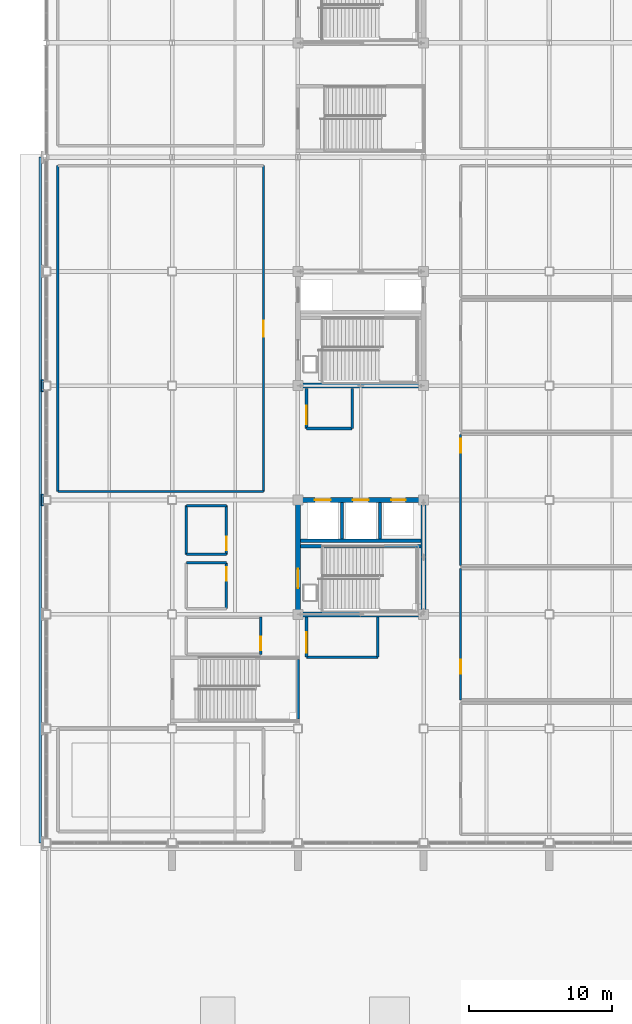
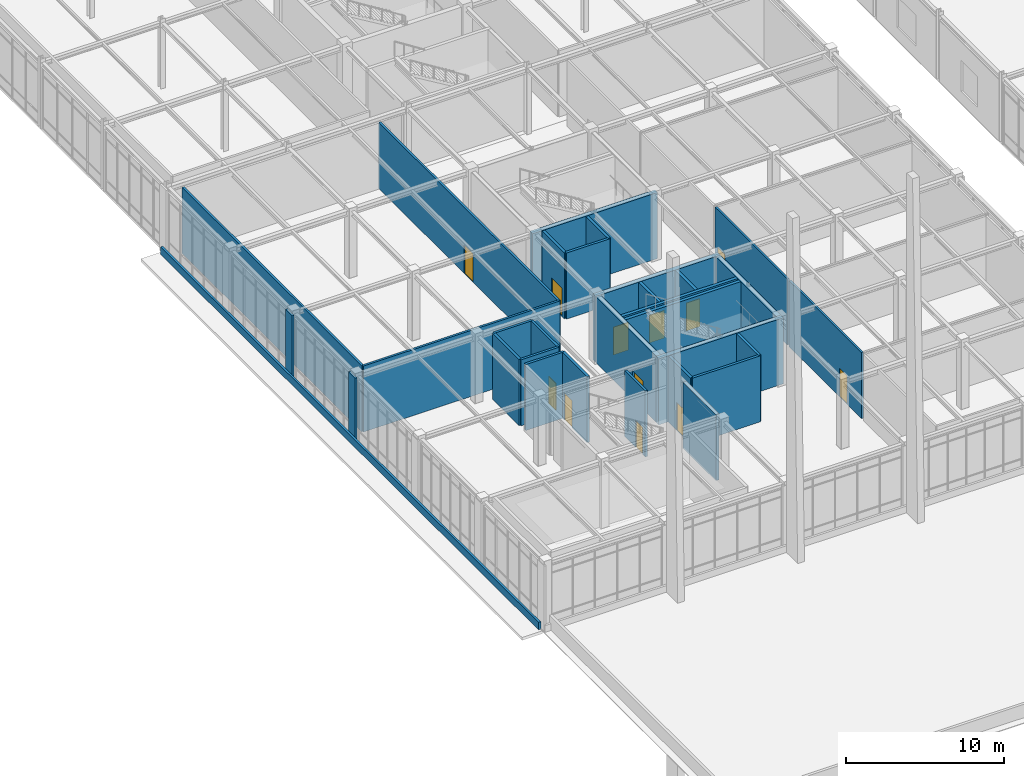
# One storey, part 87 of 108: 31 walls, 12 doors, 12 openings.
"""IFC4 building model written with IfcOpenShell, lengths in metres."""

import ifcopenshell
import ifcopenshell.guid

model = None  # the IFC model being written
_history = None  # IfcOwnerHistory: only IFC2X3 demands one
_inside = {}  # id of a spatial element -> (the spatial element, [elements in it])
_under = {}  # id of a project, library or spatial element -> (it, [spatial elements below it])
_declared = {}  # id of a project -> (the project, [libraries it declares])
_typed = {}  # id of a type object -> (the type object, [elements of that type])
_made_of = {}  # id of a material, layer set ... -> (it, [elements and type objects made of it])


def new_model(schema):
    """Start an empty IFC model of exactly this schema.

    Asked for "IFC4X3", IfcOpenShell would pick the latest addendum, in which some entities
    have other attributes; the version numbers below select the first issue.
    IFC2X3 requires an IfcOwnerHistory on every rooted entity: one is made here for all.
    """
    global model, _history
    if schema == "IFC4X3":
        model = ifcopenshell.file(schema_version=(4, 3, 0, 0))
    else:
        model = ifcopenshell.file(schema=schema)
    _inside.clear()
    _under.clear()
    _declared.clear()
    _typed.clear()
    _made_of.clear()
    _history = None
    if model.schema == "IFC2X3":
        org = make("IfcOrganization", Name="unknown")
        user = make(
            "IfcPersonAndOrganization",
            ThePerson=make("IfcPerson", FamilyName="unknown"),
            TheOrganization=org,
        )
        app = make(
            "IfcApplication",
            ApplicationDeveloper=org,
            Version="unknown",
            ApplicationFullName="unknown",
            ApplicationIdentifier="unknown",
        )
        _history = make(
            "IfcOwnerHistory",
            OwningUser=user,
            OwningApplication=app,
            ChangeAction="ADDED",
            CreationDate=0,
        )
    return model


def make(cls, **values):
    """One entity of the class cls with the attributes given. An attribute that is None is left unset."""
    return model.create_entity(
        cls, **{name: value for name, value in values.items() if value is not None}
    )


def rooted(cls, **values):
    """An entity with a GlobalId (a new one), such as an element, a storey or a relation."""
    return make(cls, GlobalId=ifcopenshell.guid.new(), OwnerHistory=_history, **values)


def si_unit(unit_type, name, prefix=None):
    """IfcSIUnit, for example si_unit("LENGTHUNIT", "METRE", prefix="MILLI")."""
    return make("IfcSIUnit", UnitType=unit_type, Prefix=prefix, Name=name)


def assignment(units):
    """IfcUnitAssignment: the units of a project."""
    return None if units is None else make("IfcUnitAssignment", Units=units)


def point(xyz):
    """IfcCartesianPoint."""
    return None if xyz is None else make("IfcCartesianPoint", Coordinates=xyz)


def direction(xyz):
    """IfcDirection."""
    return None if xyz is None else make("IfcDirection", DirectionRatios=xyz)


def frame(location, z_axis=None, x_axis=None):
    """IfcAxis2Placement3D, a coordinate frame: its origin and axes. An axis left out is left unset."""
    return make(
        "IfcAxis2Placement3D",
        Location=point(location),
        Axis=direction(z_axis),
        RefDirection=direction(x_axis),
    )


def frame_2d(location, x_axis=None):
    """IfcAxis2Placement2D, a coordinate frame in the plane: its origin and x axis."""
    return make(
        "IfcAxis2Placement2D", Location=point(location), RefDirection=direction(x_axis)
    )


def origin():
    """The frame at (0, 0, 0) with its axes left unset."""
    return frame((0.0, 0.0, 0.0))


def place(relative_to, where):
    """IfcLocalPlacement: puts the frame where relative to a parent placement (None: the world)."""
    return make(
        "IfcLocalPlacement", PlacementRelTo=relative_to, RelativePlacement=where
    )


def context(
    kind, dimensions, precision=None, world=None, true_north=None, identifier=None
):
    """IfcGeometricRepresentationContext, for example the 3D "Model" context."""
    return make(
        "IfcGeometricRepresentationContext",
        ContextIdentifier=identifier,
        ContextType=kind,
        CoordinateSpaceDimension=dimensions,
        Precision=precision,
        WorldCoordinateSystem=world,
        TrueNorth=true_north,
    )


def subcontext(parent, identifier, kind, view, scale=None):
    """IfcGeometricRepresentationSubContext, for example "Body" below "Model"."""
    return make(
        "IfcGeometricRepresentationSubContext",
        ContextIdentifier=identifier,
        ContextType=kind,
        ParentContext=parent,
        TargetScale=scale,
        TargetView=view,
    )


def project(units=None, contexts=None):
    """IfcProject with its units and contexts."""
    return rooted(
        "IfcProject",
        Name="project",
        RepresentationContexts=contexts,
        UnitsInContext=assignment(units),
    )


def spatial(cls, under=None, at=None, **own):
    """A site, building, storey or space (cls), placed at a placement, below another one or the project."""
    s = rooted(cls, ObjectPlacement=at, **own)
    if under is not None:
        _under.setdefault(under.id(), (under, []))[1].append(s)
    return s


def profile(cls, at=None, kind="AREA", **sizes):
    """A parametric profile (cls). Its sizes go by their IFC names, for example OverallWidth=200.0."""
    return make(cls, ProfileType=kind, Position=at, **sizes)


def rectangle(**sizes):
    """IfcRectangleProfileDef."""
    return profile("IfcRectangleProfileDef", **sizes)


def extrude(swept, where, along, depth):
    """IfcExtrudedAreaSolid: the profile swept, set in the frame where, extruded along a direction by depth."""
    return make(
        "IfcExtrudedAreaSolid",
        SweptArea=swept,
        Position=where,
        ExtrudedDirection=direction(along),
        Depth=depth,
    )


def shape(context_of_items, identifier, shape_type, items):
    """IfcShapeRepresentation: the items that make up one representation, for example the "Body"."""
    return make(
        "IfcShapeRepresentation",
        ContextOfItems=context_of_items,
        RepresentationIdentifier=identifier,
        RepresentationType=shape_type,
        Items=items,
    )


def material(Name=None, Category=None):
    """IfcMaterial."""
    return make("IfcMaterial", Name=Name, Category=Category)


def layer(
    of_material, thickness, ventilated=None, Name=None, Category=None, Priority=None
):
    """IfcMaterialLayer: one layer of a wall or slab, of a material (None: an air gap)."""
    return make(
        "IfcMaterialLayer",
        Material=of_material,
        LayerThickness=thickness,
        IsVentilated=ventilated,
        Name=Name,
        Category=Category,
        Priority=Priority,
    )


def layer_set(layers, Name=None):
    """IfcMaterialLayerSet."""
    return make("IfcMaterialLayerSet", MaterialLayers=layers, LayerSetName=Name)


def made_of(thing, what):
    """Note that an element or type object is made of a material, layer set ...; save() writes the relation."""
    if what is not None:
        _made_of.setdefault(what.id(), (what, []))[1].append(thing)
    return thing


def type_object(cls, material=None, **own):
    """A type object (cls), such as IfcWallType, which elements share."""
    return made_of(rooted(cls, **own), material)


def element(
    cls,
    number,
    at=None,
    inside=None,
    cuts=None,
    type_object=None,
    material=None,
    context=None,
    identifier="Body",
    shape_type=None,
    held_by="IfcProductDefinitionShape",
    body=None,
    shapes=None,
    **own,
):
    """One element of the class cls, such as IfcWall. Its Tag is "e" and its number.

    at: its placement. inside: the storey or other place that contains it. cuts: it is an
    opening in that element (IfcRelVoidsElement). A single representation is given by context,
    identifier, shape_type and body (its items); several are given by shapes. held_by: the class
    of the entity that holds the representations. save() writes the other relations.
    """
    e = rooted(cls, Tag="e%d" % number, ObjectPlacement=at, **own)
    if body is not None:
        shapes = [shape(context, identifier, shape_type, body)]
    if shapes is not None:
        e.Representation = make(held_by, Representations=shapes)
    if inside is not None:
        _inside.setdefault(inside.id(), (inside, []))[1].append(e)
    if cuts is not None:
        rooted(
            "IfcRelVoidsElement", RelatingBuildingElement=cuts, RelatedOpeningElement=e
        )
    if type_object is not None:
        _typed.setdefault(type_object.id(), (type_object, []))[1].append(e)
    return made_of(e, material)


def fill(opening, filler):
    """IfcRelFillsElement: the door or window that sits in an opening."""
    return rooted(
        "IfcRelFillsElement",
        RelatingOpeningElement=opening,
        RelatedBuildingElement=filler,
    )


def aggregate(whole, parts):
    """IfcRelAggregates: a whole, such as a stair, and the parts it consists of."""
    return rooted("IfcRelAggregates", RelatingObject=whole, RelatedObjects=parts)


def save(model, path):
    """Write the relations noted so far, then the file.

    IfcRelAggregates (storeys below a building ...), IfcRelContainedInSpatialStructure (elements
    in a storey), IfcRelDefinesByType, IfcRelAssociatesMaterial and IfcRelDeclares: one each for
    every whole, place, type object, material and project.
    """
    for whole, parts in _under.values():
        aggregate(whole, parts)
    for where, things in _inside.values():
        rooted(
            "IfcRelContainedInSpatialStructure",
            RelatedElements=things,
            RelatingStructure=where,
        )
    for kind, things in _typed.values():
        rooted("IfcRelDefinesByType", RelatedObjects=things, RelatingType=kind)
    for what, things in _made_of.values():
        rooted("IfcRelAssociatesMaterial", RelatedObjects=things, RelatingMaterial=what)
    for by, libraries in _declared.values():
        rooted("IfcRelDeclares", RelatingContext=by, RelatedDefinitions=libraries)
    model.write(path)


model = new_model("IFC4")

# Units and contexts
model_context = context("Model", 3, precision=1e-05, world=origin(), true_north=direction((0.0, 1.0)))
body_context = subcontext(model_context, "Body", "Model", "MODEL_VIEW")
ifc_project = project(units=[si_unit("LENGTHUNIT", "METRE"), si_unit("AREAUNIT", "SQUARE_METRE"), si_unit("VOLUMEUNIT", "CUBIC_METRE"), si_unit("PLANEANGLEUNIT", "RADIAN"), si_unit("MASSUNIT", "GRAM", prefix="KILO")], contexts=[model_context])

# Site, building, storey
site_placement = place(None, origin())
site = spatial("IfcSite", under=ifc_project, at=site_placement, CompositionType="ELEMENT")
building_placement = place(site_placement, origin())
building = spatial("IfcBuilding", under=site, at=building_placement, Name="Zhaolan Boulevard Law Courts", CompositionType="ELEMENT")
storey_placement = place(building_placement, frame((0.0, 0.0, 10.800048828125)))
storey = spatial("IfcBuildingStorey", under=building, at=storey_placement, Name="L02", CompositionType="ELEMENT", Elevation=10.800048828125)

# Wall
ifc_material_1 = material(Name="Concrete C50", Category="concrete")
ifc_layer_1 = layer(ifc_material_1, 0.35009765625)
ifc_layer_set_1 = layer_set([ifc_layer_1])
wall_type_1 = type_object("IfcWallType", Name="CORE SHEAR WALL 350", PredefinedType="SHEAR", material=ifc_layer_set_1)
wall_1_placement = place(storey_placement, frame((17.425048828125, 46.0, 0.0), z_axis=(0.0, 0.0, 1.0), x_axis=(1.0, 0.0, 0.0)))
element("IfcWall", 1, at=wall_1_placement, inside=storey, type_object=wall_type_1, Name="Core Shear Wall CW-W1-L02S", PredefinedType="SHEAR", context=body_context, shape_type="SweptSolid", body=[
    extrude(rectangle(XDim=9.14990234375, YDim=0.35009765625, at=frame_2d((4.574951171875, 0.0))), origin(), (0.0, 0.0, 1.0), 5.119873046875),
])

# Wall, openings, doors
wall_2_placement = place(storey_placement, frame((26.574951171875, 54.0, 0.0), z_axis=(0.0, 0.0, 1.0), x_axis=(-1.0, 0.0, 0.0)))
wall_2 = element("IfcWall", 2, at=wall_2_placement, inside=storey, type_object=wall_type_1, Name="Core Shear Wall CW-W1-L02N", PredefinedType="SHEAR", context=body_context, shape_type="SweptSolid", body=[
    extrude(rectangle(XDim=9.14990234375, YDim=0.35009765625, at=frame_2d((4.574951171875, 0.0))), origin(), (0.0, 0.0, 1.0), 5.119873046875),
])
opening_1_placement = place(wall_2_placement, frame((6.675048828125, 0.0, 0.0)))
opening_1 = element("IfcOpeningElement", 3, at=opening_1_placement, cuts=wall_2, Name="Opening LD-FL-01-L02", PredefinedType="OPENING", context=body_context, shape_type="SweptSolid", body=[
    extrude(rectangle(XDim=1.10009765625, YDim=2.14990234375, at=frame_2d((0.550048828125, 1.074951171875))), frame((0.0, 0.18505859375, 0.0), z_axis=(0.0, -1.0, 0.0), x_axis=(1.0, 0.0, 0.0)), (0.0, 0.0, 1.0), 0.3701171875),
])
opening_2_placement = place(wall_2_placement, frame((4.02490234375, 0.0, 0.0)))
opening_2 = element("IfcOpeningElement", 4, at=opening_2_placement, cuts=wall_2, Name="Opening LD-FL-02-L02", PredefinedType="OPENING", context=body_context, shape_type="SweptSolid", body=[
    extrude(rectangle(XDim=1.10009765625, YDim=2.14990234375, at=frame_2d((0.550048828125, 1.074951171875))), frame((0.0, 0.18505859375, 0.0), z_axis=(0.0, -1.0, 0.0), x_axis=(1.0, 0.0, 0.0)), (0.0, 0.0, 1.0), 0.3701171875),
])
opening_3_placement = place(wall_2_placement, frame((1.425048828125, 0.0, 0.0)))
opening_3 = element("IfcOpeningElement", 5, at=opening_3_placement, cuts=wall_2, Name="Opening LD-JL-01-L02", PredefinedType="OPENING", context=body_context, shape_type="SweptSolid", body=[
    extrude(rectangle(XDim=1.0, YDim=2.14990234375, at=frame_2d((0.5, 1.074951171875))), frame((0.0, 0.18505859375, 0.0), z_axis=(0.0, -1.0, 0.0), x_axis=(1.0, 0.0, 0.0)), (0.0, 0.0, 1.0), 0.3701171875),
])
ifc_material_2 = material(Name="Stainless steel sliding landing door", Category="steel")
door_type_1 = type_object("IfcDoorType", Name="LIFT LANDING 1000X2150", OperationType="DOUBLE_DOOR_SLIDING", PredefinedType="DOOR", material=ifc_material_2)
door_1_placement = place(opening_3_placement, origin())
door_1 = element("IfcDoor", 6, at=door_1_placement, inside=storey, type_object=door_type_1, Name="Lift Landing Sliding Door LD-JL-01-L02", OperationType="DOUBLE_DOOR_SLIDING", OverallHeight=2.14990234375, OverallWidth=1.0, PredefinedType="DOOR", context=body_context, shape_type="SweptSolid", body=[
    extrude(rectangle(XDim=1.0, YDim=2.14990234375, at=frame_2d((0.5, 1.074951171875))), frame((0.0, 0.02490234375, 0.0), z_axis=(0.0, -1.0, 0.0), x_axis=(1.0, 0.0, 0.0)), (0.0, 0.0, 1.0), 0.050048828125),
])
fill(opening_3, door_1)
ifc_material_3 = material(Name="Stainless steel sliding landing door", Category="steel")
door_type_2 = type_object("IfcDoorType", Name="LIFT LANDING 1100X2150", OperationType="DOUBLE_DOOR_SLIDING", PredefinedType="DOOR", material=ifc_material_3)
door_2_placement = place(opening_1_placement, origin())
door_2 = element("IfcDoor", 7, at=door_2_placement, inside=storey, type_object=door_type_2, Name="Lift Landing Sliding Door LD-FL-01-L02", OperationType="DOUBLE_DOOR_SLIDING", OverallHeight=2.14990234375, OverallWidth=1.10009765625, PredefinedType="DOOR", context=body_context, shape_type="SweptSolid", body=[
    extrude(rectangle(XDim=1.10009765625, YDim=2.14990234375, at=frame_2d((0.550048828125, 1.074951171875))), frame((0.0, 0.02490234375, 0.0), z_axis=(0.0, -1.0, 0.0), x_axis=(1.0, 0.0, 0.0)), (0.0, 0.0, 1.0), 0.050048828125),
])
fill(opening_1, door_2)
door_3_placement = place(opening_2_placement, origin())
door_3 = element("IfcDoor", 8, at=door_3_placement, inside=storey, type_object=door_type_2, Name="Lift Landing Sliding Door LD-FL-02-L02", OperationType="DOUBLE_DOOR_SLIDING", OverallHeight=2.14990234375, OverallWidth=1.10009765625, PredefinedType="DOOR", context=body_context, shape_type="SweptSolid", body=[
    extrude(rectangle(XDim=1.10009765625, YDim=2.14990234375, at=frame_2d((0.550048828125, 1.074951171875))), frame((0.0, 0.02490234375, 0.0), z_axis=(0.0, -1.0, 0.0), x_axis=(1.0, 0.0, 0.0)), (0.0, 0.0, 1.0), 0.050048828125),
])
fill(opening_2, door_3)

# Wall, opening, door
wall_3_placement = place(storey_placement, frame((17.60009765625, 46.175048828125, 0.0), z_axis=(0.0, 0.0, 1.0), x_axis=(0.0, 1.0, 0.0)))
wall_3 = element("IfcWall", 9, at=wall_3_placement, inside=storey, type_object=wall_type_1, Name="Core Shear Wall CW-W1-L02W", PredefinedType="SHEAR", context=body_context, shape_type="SweptSolid", body=[
    extrude(rectangle(XDim=7.64990234375, YDim=0.35009765625, at=frame_2d((3.824951171875, 0.0))), origin(), (0.0, 0.0, 1.0), 5.119873046875),
])
opening_4_placement = place(wall_3_placement, frame((1.64990234375, 0.0, 0.0)))
opening_4 = element("IfcOpeningElement", 10, at=opening_4_placement, cuts=wall_3, Name="Opening SD-L02-04", PredefinedType="OPENING", context=body_context, shape_type="SweptSolid", body=[
    extrude(rectangle(XDim=1.35009765625, YDim=2.199951171875, at=frame_2d((0.675048828125, 1.10009765625))), frame((0.0, 0.18505859375, 0.0), z_axis=(0.0, -1.0, 0.0), x_axis=(1.0, 0.0, 0.0)), (0.0, 0.0, 1.0), 0.3701171875),
])
ifc_material_4 = material(Name="Fire-rated steel acoustic door", Category="steel")
door_type_3 = type_object("IfcDoorType", Name="STAIR FIRE 1350X2200 R", OperationType="SINGLE_SWING_RIGHT", PredefinedType="DOOR", material=ifc_material_4)
door_4_placement = place(opening_4_placement, origin())
door_4 = element("IfcDoor", 11, at=door_4_placement, inside=storey, type_object=door_type_3, Name="Smoke-Proof Stairwell Fire Door SD-L02-04", OperationType="SINGLE_SWING_RIGHT", OverallHeight=2.199951171875, OverallWidth=1.35009765625, PredefinedType="DOOR", context=body_context, shape_type="SweptSolid", body=[
    extrude(rectangle(XDim=1.35009765625, YDim=2.199951171875, at=frame_2d((0.675048828125, 1.10009765625))), frame((0.0, 0.02490234375, 0.0), z_axis=(0.0, -1.0, 0.0), x_axis=(1.0, 0.0, 0.0)), (0.0, 0.0, 1.0), 0.050048828125),
])
fill(opening_4, door_4)

# Walls
wall_4_placement = place(storey_placement, frame((26.39990234375, 46.175048828125, 0.0), z_axis=(0.0, 0.0, 1.0), x_axis=(0.0, 1.0, 0.0)))
element("IfcWall", 12, at=wall_4_placement, inside=storey, type_object=wall_type_1, Name="Core Shear Wall CW-W1-L02E", PredefinedType="SHEAR", context=body_context, shape_type="SweptSolid", body=[
    extrude(rectangle(XDim=7.64990234375, YDim=0.35009765625, at=frame_2d((3.824951171875, 0.0))), origin(), (0.0, 0.0, 1.0), 5.119873046875),
])
wall_5_placement = place(storey_placement, frame((17.425048828125, 62.0, 0.0), z_axis=(0.0, 0.0, 1.0), x_axis=(1.0, 0.0, 0.0)))
element("IfcWall", 13, at=wall_5_placement, inside=storey, type_object=wall_type_1, Name="Core Shear Wall CW-W2-L02S", PredefinedType="SHEAR", context=body_context, shape_type="SweptSolid", body=[
    extrude(rectangle(XDim=9.14990234375, YDim=0.35009765625, at=frame_2d((4.574951171875, 0.0))), origin(), (0.0, 0.0, 1.0), 5.119873046875),
])
ifc_material_5 = material(Name="Concrete C40", Category="concrete")
ifc_layer_2 = layer(ifc_material_5, 0.139892578125)
ifc_layer_set_2 = layer_set([ifc_layer_2])
wall_type_2 = type_object("IfcWallType", Name="EXT WALL ARCH CLAD140", PredefinedType="SOLIDWALL", material=ifc_layer_set_2)
for number, where, z_axis, x_axis, name in (
    (14, (-0.280029296875, 53.580078125, 0.0), (0.0, 0.0, 1.0), (0.0, 1.0, 0.0), "Concrete Column Cloak Pier CPR-063"),
    (15, (-0.280029296875, 61.580078125, 0.0), (0.0, 0.0, 1.0), (0.0, 1.0, 0.0), "Concrete Column Cloak Pier CPR-065"),
):
    element("IfcWall", number, at=place(storey_placement, frame(where, z_axis=z_axis, x_axis=x_axis)), inside=storey, type_object=wall_type_2, Name=name, PredefinedType="SOLIDWALL", context=body_context, shape_type="SweptSolid", body=[
        extrude(rectangle(XDim=0.83984375, YDim=0.139892578125, at=frame_2d((0.419921875, 0.0))), origin(), (0.0, 0.0, 1.0), 5.139892578125),
    ])
ifc_material_6 = material(Name="Concrete C40", Category="concrete")
ifc_layer_3 = layer(ifc_material_6, 0.159912109375)
ifc_layer_set_3 = layer_set([ifc_layer_3])
wall_type_3 = type_object("IfcWallType", Name="EXT WALL ARCH CLAD160", PredefinedType="SOLIDWALL", material=ifc_layer_set_3)
wall_6_placement = place(storey_placement, frame((-0.43994140625, 78.0, 0.0), z_axis=(0.0, 0.0, 1.0), x_axis=(0.0, -1.0, 0.0)))
element("IfcWall", 16, at=wall_6_placement, inside=storey, type_object=wall_type_3, Name="Sculpted Concrete Spandrel Band CBW-054", PredefinedType="SOLIDWALL", context=body_context, shape_type="SweptSolid", body=[
    extrude(rectangle(XDim=48.0, YDim=0.159912109375, at=frame_2d((24.0, 0.0))), origin(), (0.0, 0.0, 1.0), 0.579833984375),
])
ifc_material_7 = material(Name="Concrete C50", Category="concrete")
ifc_layer_4 = layer(ifc_material_7, 0.239990234375)
ifc_layer_set_4 = layer_set([ifc_layer_4])
wall_type_4 = type_object("IfcWallType", Name="LIFT SHAFT WALL 240", PredefinedType="SHEAR", material=ifc_layer_set_4)
wall_7_placement = place(storey_placement, frame((17.77490234375, 51.155029296875, 0.0), z_axis=(0.0, 0.0, 1.0), x_axis=(1.0, 0.0, 0.0)))
element("IfcWall", 17, at=wall_7_placement, inside=storey, type_object=wall_type_4, Name="Lift Shaft Enclosure Wall W1 (L02)", PredefinedType="SHEAR", context=body_context, shape_type="SweptSolid", body=[
    extrude(rectangle(XDim=8.4501953125, YDim=0.239990234375, at=frame_2d((4.22509765625, 0.0))), origin(), (0.0, 0.0, 1.0), 5.119873046875),
])
ifc_material_8 = material(Name="Acoustic gypsum and mineral-wool stud")
ifc_layer_5 = layer(ifc_material_8, 0.18994140625)
ifc_layer_set_5 = layer_set([ifc_layer_5])
wall_type_5 = type_object("IfcWallType", Name="PART WALL ACOUST190", PredefinedType="PARTITIONING", material=ifc_layer_set_5)
wall_8_placement = place(storey_placement, frame((18.199951171875, 43.0, 0.0), z_axis=(0.0, 0.0, 1.0), x_axis=(1.0, 0.0, 0.0)))
element("IfcWall", 18, at=wall_8_placement, inside=storey, type_object=wall_type_5, Name="Interior Partition PW-L02-019", PredefinedType="PARTITIONING", context=body_context, shape_type="SweptSolid", body=[
    extrude(rectangle(XDim=5.0, YDim=0.18994140625, at=frame_2d((2.5, 0.0))), origin(), (0.0, 0.0, 1.0), 5.119873046875),
])

# Wall, opening, door
wall_9_placement = place(storey_placement, frame((18.199951171875, 45.800048828125, 0.0), z_axis=(0.0, 0.0, 1.0), x_axis=(0.0, -1.0, 0.0)))
wall_9 = element("IfcWall", 19, at=wall_9_placement, inside=storey, type_object=wall_type_5, Name="Interior Partition PW-L02-020", PredefinedType="PARTITIONING", context=body_context, shape_type="SweptSolid", body=[
    extrude(rectangle(XDim=2.800048828125, YDim=0.18994140625, at=frame_2d((1.39990234375, 0.0))), origin(), (0.0, 0.0, 1.0), 5.119873046875),
])
opening_5_placement = place(wall_9_placement, frame((1.050048828125, 0.0, 0.0)))
opening_5 = element("IfcOpeningElement", 20, at=opening_5_placement, cuts=wall_9, Name="Opening FD-L02-007", PredefinedType="OPENING", context=body_context, shape_type="SweptSolid", body=[
    extrude(rectangle(XDim=1.449951171875, YDim=2.199951171875, at=frame_2d((0.72509765625, 1.10009765625))), frame((0.0, 0.10498046875, 0.0), z_axis=(0.0, -1.0, 0.0), x_axis=(1.0, 0.0, 0.0)), (0.0, 0.0, 1.0), 0.2099609375),
])
ifc_material_9 = material(Name="Fire-rated steel acoustic door", Category="steel")
door_type_4 = type_object("IfcDoorType", Name="LOBBY FIRE 1450X2200 L", OperationType="SINGLE_SWING_LEFT", PredefinedType="DOOR", material=ifc_material_9)
door_5_placement = place(opening_5_placement, origin())
door_5 = element("IfcDoor", 21, at=door_5_placement, inside=storey, type_object=door_type_4, Name="Door FD-L02-007 (Lobby Firefighting Lift L02-W1)", OperationType="SINGLE_SWING_LEFT", OverallHeight=2.199951171875, OverallWidth=1.449951171875, PredefinedType="DOOR", context=body_context, shape_type="SweptSolid", body=[
    extrude(rectangle(XDim=1.449951171875, YDim=2.199951171875, at=frame_2d((0.72509765625, 1.10009765625))), frame((0.0, 0.02490234375, 0.0), z_axis=(0.0, -1.0, 0.0), x_axis=(1.0, 0.0, 0.0)), (0.0, 0.0, 1.0), 0.050048828125),
])
fill(opening_5, door_5)

# Walls
wall_10_placement = place(storey_placement, frame((23.199951171875, 43.0, 0.0), z_axis=(0.0, 0.0, 1.0), x_axis=(0.0, 1.0, 0.0)))
element("IfcWall", 22, at=wall_10_placement, inside=storey, type_object=wall_type_5, Name="Interior Partition PW-L02-021", PredefinedType="PARTITIONING", context=body_context, shape_type="SweptSolid", body=[
    extrude(rectangle(XDim=2.800048828125, YDim=0.18994140625, at=frame_2d((1.39990234375, 0.0))), origin(), (0.0, 0.0, 1.0), 5.119873046875),
])
wall_11_placement = place(storey_placement, frame((18.199951171875, 59.0, 0.0), z_axis=(0.0, 0.0, 1.0), x_axis=(1.0, 0.0, 0.0)))
element("IfcWall", 23, at=wall_11_placement, inside=storey, type_object=wall_type_5, Name="Interior Partition PW-L02-022", PredefinedType="PARTITIONING", context=body_context, shape_type="SweptSolid", body=[
    extrude(rectangle(XDim=3.199951171875, YDim=0.18994140625, at=frame_2d((1.60009765625, 0.0))), origin(), (0.0, 0.0, 1.0), 5.119873046875),
])

# Wall, opening, door
wall_12_placement = place(storey_placement, frame((18.199951171875, 61.800048828125, 0.0), z_axis=(0.0, 0.0, 1.0), x_axis=(0.0, -1.0, 0.0)))
wall_12 = element("IfcWall", 24, at=wall_12_placement, inside=storey, type_object=wall_type_5, Name="Interior Partition PW-L02-023", PredefinedType="PARTITIONING", context=body_context, shape_type="SweptSolid", body=[
    extrude(rectangle(XDim=2.800048828125, YDim=0.18994140625, at=frame_2d((1.39990234375, 0.0))), origin(), (0.0, 0.0, 1.0), 5.119873046875),
])
opening_6_placement = place(wall_12_placement, frame((1.199951171875, 0.0, 0.0)))
opening_6 = element("IfcOpeningElement", 25, at=opening_6_placement, cuts=wall_12, Name="Opening FD-L02-008", PredefinedType="OPENING", context=body_context, shape_type="SweptSolid", body=[
    extrude(rectangle(XDim=1.300048828125, YDim=2.199951171875, at=frame_2d((0.64990234375, 1.10009765625))), frame((0.0, 0.10498046875, 0.0), z_axis=(0.0, -1.0, 0.0), x_axis=(1.0, 0.0, 0.0)), (0.0, 0.0, 1.0), 0.2099609375),
])
ifc_material_10 = material(Name="Fire-rated steel acoustic door", Category="steel")
door_type_5 = type_object("IfcDoorType", Name="LOBBY FIRE 1300X2200 R", OperationType="SINGLE_SWING_RIGHT", PredefinedType="DOOR", material=ifc_material_10)
door_6_placement = place(opening_6_placement, origin())
door_6 = element("IfcDoor", 26, at=door_6_placement, inside=storey, type_object=door_type_5, Name="Door FD-L02-008 (Lobby Firefighting Lift L02-W2)", OperationType="SINGLE_SWING_RIGHT", OverallHeight=2.199951171875, OverallWidth=1.300048828125, PredefinedType="DOOR", context=body_context, shape_type="SweptSolid", body=[
    extrude(rectangle(XDim=1.300048828125, YDim=2.199951171875, at=frame_2d((0.64990234375, 1.10009765625))), frame((0.0, 0.02490234375, 0.0), z_axis=(0.0, -1.0, 0.0), x_axis=(1.0, 0.0, 0.0)), (0.0, 0.0, 1.0), 0.050048828125),
])
fill(opening_6, door_6)

# Walls
wall_13_placement = place(storey_placement, frame((21.39990234375, 59.0, 0.0), z_axis=(0.0, 0.0, 1.0), x_axis=(0.0, 1.0, 0.0)))
element("IfcWall", 27, at=wall_13_placement, inside=storey, type_object=wall_type_5, Name="Interior Partition PW-L02-024", PredefinedType="PARTITIONING", context=body_context, shape_type="SweptSolid", body=[
    extrude(rectangle(XDim=2.800048828125, YDim=0.18994140625, at=frame_2d((1.39990234375, 0.0))), origin(), (0.0, 0.0, 1.0), 5.119873046875),
])
ifc_material_11 = material(Name="Fire-rated gypsum stud partition")
ifc_layer_6 = layer(ifc_material_11, 0.159912109375)
ifc_layer_set_6 = layer_set([ifc_layer_6])
wall_type_6 = type_object("IfcWallType", Name="PART WALL CHAMB160", PredefinedType="PARTITIONING", material=ifc_layer_set_6)
wall_14_placement = place(storey_placement, frame((0.800048828125, 54.60009765625, 0.0), z_axis=(0.0, 0.0, 1.0), x_axis=(1.0, 0.0, 0.0)))
element("IfcWall", 28, at=wall_14_placement, inside=storey, type_object=wall_type_6, Name="Interior Partition PW-L02-513", PredefinedType="PARTITIONING", context=body_context, shape_type="SweptSolid", body=[
    extrude(rectangle(XDim=14.39990234375, YDim=0.159912109375, at=frame_2d((7.199951171875, 0.0))), origin(), (0.0, 0.0, 1.0), 5.119873046875),
])
wall_15_placement = place(storey_placement, frame((0.800048828125, 77.39990234375, 0.0), z_axis=(0.0, 0.0, 1.0), x_axis=(0.0, -1.0, 0.0)))
element("IfcWall", 29, at=wall_15_placement, inside=storey, type_object=wall_type_6, Name="Interior Partition PW-L02-515", PredefinedType="PARTITIONING", context=body_context, shape_type="SweptSolid", body=[
    extrude(rectangle(XDim=22.7998046875, YDim=0.159912109375, at=frame_2d((11.39990234375, 0.0))), origin(), (0.0, 0.0, 1.0), 5.119873046875),
])

# Wall, opening, door
wall_16_placement = place(storey_placement, frame((15.199951171875, 54.60009765625, 0.0), z_axis=(0.0, 0.0, 1.0), x_axis=(0.0, 1.0, 0.0)))
wall_16 = element("IfcWall", 30, at=wall_16_placement, inside=storey, type_object=wall_type_6, Name="Interior Partition PW-L02-516", PredefinedType="PARTITIONING", context=body_context, shape_type="SweptSolid", body=[
    extrude(rectangle(XDim=22.7998046875, YDim=0.159912109375, at=frame_2d((11.39990234375, 0.0))), origin(), (0.0, 0.0, 1.0), 5.119873046875),
])
opening_7_placement = place(wall_16_placement, frame((10.840087890625, 0.0, 0.0)))
opening_7 = element("IfcOpeningElement", 31, at=opening_7_placement, cuts=wall_16, Name="Opening JR-L02-160", PredefinedType="OPENING", context=body_context, shape_type="SweptSolid", body=[
    extrude(rectangle(XDim=1.1201171875, YDim=2.199951171875, at=frame_2d((0.56005859375, 1.10009765625))), frame((0.0, 0.08984375, 0.0), z_axis=(0.0, -1.0, 0.0), x_axis=(1.0, 0.0, 0.0)), (0.0, 0.0, 1.0), 0.179931640625),
])
ifc_material_12 = material(Name="Solid-core acoustic oak veneer door")
door_type_6 = type_object("IfcDoorType", Name="JURY DOOR 1120X2200 R", OperationType="SINGLE_SWING_RIGHT", PredefinedType="DOOR", material=ifc_material_12)
door_7_placement = place(opening_7_placement, origin())
door_7 = element("IfcDoor", 32, at=door_7_placement, inside=storey, type_object=door_type_6, Name="Door JR-L02-160 (Jury Deliberation Suite L02)", OperationType="SINGLE_SWING_RIGHT", OverallHeight=2.199951171875, OverallWidth=1.1201171875, PredefinedType="DOOR", context=body_context, shape_type="SweptSolid", body=[
    extrude(rectangle(XDim=1.1201171875, YDim=2.199951171875, at=frame_2d((0.56005859375, 1.10009765625))), frame((0.0, 0.02490234375, 0.0), z_axis=(0.0, -1.0, 0.0), x_axis=(1.0, 0.0, 0.0)), (0.0, 0.0, 1.0), 0.050048828125),
])
fill(opening_7, door_7)

# Walls
ifc_material_13 = material(Name="Concrete C40", Category="concrete")
ifc_layer_7 = layer(ifc_material_13, 0.2099609375)
ifc_layer_set_7 = layer_set([ifc_layer_7])
wall_type_7 = type_object("IfcWallType", Name="PART WALL CUSTODY210", PredefinedType="PARTITIONING", material=ifc_layer_set_7)
for number, where, z_axis, x_axis, name in (
    (33, (20.675048828125, 51.277099609375, 0.0), (0.0, 0.0, 1.0), (0.0, 1.0, 0.0), "Lift Shaft Divider Wall W1-1 (L02)"),
    (34, (23.337890625, 51.277099609375, 0.0), (0.0, 0.0, 1.0), (0.0, 1.0, 0.0), "Lift Shaft Divider Wall W1-2 (L02)"),
):
    element("IfcWall", number, at=place(storey_placement, frame(where, z_axis=z_axis, x_axis=x_axis)), inside=storey, type_object=wall_type_7, Name=name, PredefinedType="PARTITIONING", context=body_context, shape_type="SweptSolid", body=[
        extrude(rectangle(XDim=2.5458984375, YDim=0.2099609375, at=frame_2d((1.27294921875, 0.0))), origin(), (0.0, 0.0, 1.0), 5.119873046875),
    ])

# Wall, opening, door
ifc_material_14 = material(Name="Fire-rated gypsum stud partition")
ifc_layer_8 = layer(ifc_material_14, 0.139892578125)
ifc_layer_set_8 = layer_set([ifc_layer_8])
wall_type_8 = type_object("IfcWallType", Name="PART WALL OFFICE140", PredefinedType="PARTITIONING", material=ifc_layer_set_8)
wall_17_placement = place(storey_placement, frame((29.0, 49.18798828125, 0.0), z_axis=(0.0, 0.0, 1.0), x_axis=(0.0, -1.0, 0.0)))
wall_17 = element("IfcWall", 35, at=wall_17_placement, inside=storey, type_object=wall_type_8, Name="Interior Partition PW-L02-499", PredefinedType="PARTITIONING", context=body_context, shape_type="SweptSolid", body=[
    extrude(rectangle(XDim=9.18408203125, YDim=0.139892578125, at=frame_2d((4.592041015625, 0.0))), origin(), (0.0, 0.0, 1.0), 5.119873046875),
])
opening_8_placement = place(wall_17_placement, frame((6.366943359375, 0.0, 0.0)))
opening_8 = element("IfcOpeningElement", 36, at=opening_8_placement, cuts=wall_17, Name="Opening JD-L02-156", PredefinedType="OPENING", context=body_context, shape_type="SweptSolid", body=[
    extrude(rectangle(XDim=1.0, YDim=2.199951171875, at=frame_2d((0.5, 1.10009765625))), frame((0.0, 0.079833984375, 0.0), z_axis=(0.0, -1.0, 0.0), x_axis=(1.0, 0.0, 0.0)), (0.0, 0.0, 1.0), 0.159912109375),
])
ifc_material_15 = material(Name="Solid-core acoustic oak veneer door")
door_type_7 = type_object("IfcDoorType", Name="CHAMBER DOOR 1000X2200 L", OperationType="SINGLE_SWING_LEFT", PredefinedType="DOOR", material=ifc_material_15)
door_8_placement = place(opening_8_placement, origin())
door_8 = element("IfcDoor", 37, at=door_8_placement, inside=storey, type_object=door_type_7, Name="Door JD-L02-156 (Judges' Chambers L02-02)", OperationType="SINGLE_SWING_LEFT", OverallHeight=2.199951171875, OverallWidth=1.0, PredefinedType="DOOR", context=body_context, shape_type="SweptSolid", body=[
    extrude(rectangle(XDim=1.0, YDim=2.199951171875, at=frame_2d((0.5, 1.10009765625))), frame((0.0, 0.02490234375, 0.0), z_axis=(0.0, -1.0, 0.0), x_axis=(1.0, 0.0, 0.0)), (0.0, 0.0, 1.0), 0.050048828125),
])
fill(opening_8, door_8)

wall_18_placement = place(storey_placement, frame((29.0, 58.592041015625, 0.0), z_axis=(0.0, 0.0, 1.0), x_axis=(0.0, -1.0, 0.0)))
wall_18 = element("IfcWall", 38, at=wall_18_placement, inside=storey, type_object=wall_type_8, Name="Interior Partition PW-L02-503", PredefinedType="PARTITIONING", context=body_context, shape_type="SweptSolid", body=[
    extrude(rectangle(XDim=9.18408203125, YDim=0.139892578125, at=frame_2d((4.592041015625, 0.0))), origin(), (0.0, 0.0, 1.0), 5.119873046875),
])
opening_9_placement = place(wall_18_placement, frame((0.300048828125, 0.0, 0.0)))
opening_9 = element("IfcOpeningElement", 39, at=opening_9_placement, cuts=wall_18, Name="Opening JD-L02-157", PredefinedType="OPENING", context=body_context, shape_type="SweptSolid", body=[
    extrude(rectangle(XDim=0.97998046875, YDim=2.199951171875, at=frame_2d((0.489990234375, 1.10009765625))), frame((0.0, 0.079833984375, 0.0), z_axis=(0.0, -1.0, 0.0), x_axis=(1.0, 0.0, 0.0)), (0.0, 0.0, 1.0), 0.159912109375),
])
ifc_material_16 = material(Name="Solid-core acoustic oak veneer door")
door_type_8 = type_object("IfcDoorType", Name="CHAMBER DOOR 980X2200 R", OperationType="SINGLE_SWING_RIGHT", PredefinedType="DOOR", material=ifc_material_16)
door_9_placement = place(opening_9_placement, origin())
door_9 = element("IfcDoor", 40, at=door_9_placement, inside=storey, type_object=door_type_8, Name="Door JD-L02-157 (Judges' Chambers L02-03)", OperationType="SINGLE_SWING_RIGHT", OverallHeight=2.199951171875, OverallWidth=0.97998046875, PredefinedType="DOOR", context=body_context, shape_type="SweptSolid", body=[
    extrude(rectangle(XDim=0.97998046875, YDim=2.199951171875, at=frame_2d((0.489990234375, 1.10009765625))), frame((0.0, 0.02490234375, 0.0), z_axis=(0.0, -1.0, 0.0), x_axis=(1.0, 0.0, 0.0)), (0.0, 0.0, 1.0), 0.050048828125),
])
fill(opening_9, door_9)

# Wall
ifc_material_17 = material(Name="Moisture-resistant masonry chase wall", Category="masonry")
ifc_layer_9 = layer(ifc_material_17, 0.179931640625)
ifc_layer_set_9 = layer_set([ifc_layer_9])
wall_type_9 = type_object("IfcWallType", Name="PLUMB WALL 180", PredefinedType="PLUMBINGWALL", material=ifc_layer_set_9)
wall_19_placement = place(storey_placement, frame((12.60009765625, 49.60009765625, 0.0), z_axis=(0.0, 0.0, 1.0), x_axis=(-1.0, 0.0, 0.0)))
element("IfcWall", 41, at=wall_19_placement, inside=storey, type_object=wall_type_9, Name="Interior Partition PW-L02-116", PredefinedType="PLUMBINGWALL", context=body_context, shape_type="SweptSolid", body=[
    extrude(rectangle(XDim=2.800048828125, YDim=0.179931640625, at=frame_2d((1.39990234375, 0.0))), origin(), (0.0, 0.0, 1.0), 5.119873046875),
])

# Wall, opening, door
wall_20_placement = place(storey_placement, frame((12.60009765625, 46.39990234375, 0.0), z_axis=(0.0, 0.0, 1.0), x_axis=(0.0, 1.0, 0.0)))
wall_20 = element("IfcWall", 42, at=wall_20_placement, inside=storey, type_object=wall_type_9, Name="Interior Partition PW-L02-118", PredefinedType="PLUMBINGWALL", context=body_context, shape_type="SweptSolid", body=[
    extrude(rectangle(XDim=3.2001953125, YDim=0.179931640625, at=frame_2d((1.60009765625, 0.0))), origin(), (0.0, 0.0, 1.0), 5.119873046875),
])
opening_10_placement = place(wall_20_placement, frame((1.93994140625, 0.0, 0.0)))
opening_10 = element("IfcOpeningElement", 43, at=opening_10_placement, cuts=wall_20, Name="Opening WD-L02-037", PredefinedType="OPENING", context=body_context, shape_type="SweptSolid", body=[
    extrude(rectangle(XDim=0.9599609375, YDim=2.10009765625, at=frame_2d((0.47998046875, 1.050048828125))), frame((0.0, 0.099853515625, 0.0), z_axis=(0.0, -1.0, 0.0), x_axis=(1.0, 0.0, 0.0)), (0.0, 0.0, 1.0), 0.199951171875),
])
ifc_material_18 = material(Name="Solid-core acoustic oak veneer door")
door_type_9 = type_object("IfcDoorType", Name="WCDOOR ACC 960X2100 L", OperationType="SINGLE_SWING_LEFT", PredefinedType="DOOR", material=ifc_material_18)
door_10_placement = place(opening_10_placement, origin())
door_10 = element("IfcDoor", 44, at=door_10_placement, inside=storey, type_object=door_type_9, Name="Door WD-L02-037 (Accessible WC L02)", OperationType="SINGLE_SWING_LEFT", OverallHeight=2.10009765625, OverallWidth=0.9599609375, PredefinedType="DOOR", context=body_context, shape_type="SweptSolid", body=[
    extrude(rectangle(XDim=0.9599609375, YDim=2.10009765625, at=frame_2d((0.47998046875, 1.050048828125))), frame((0.0, 0.02490234375, 0.0), z_axis=(0.0, -1.0, 0.0), x_axis=(1.0, 0.0, 0.0)), (0.0, 0.0, 1.0), 0.050048828125),
])
fill(opening_10, door_10)

# Walls
for number, where, z_axis, x_axis, name in (
    (45, (9.800048828125, 50.199951171875, 0.0), (0.0, 0.0, 1.0), (1.0, 0.0, 0.0), "Interior Partition PW-L02-119"),
    (46, (12.60009765625, 53.60009765625, 0.0), (0.0, 0.0, 1.0), (-1.0, 0.0, 0.0), "Interior Partition PW-L02-120"),
):
    element("IfcWall", number, at=place(storey_placement, frame(where, z_axis=z_axis, x_axis=x_axis)), inside=storey, type_object=wall_type_9, Name=name, PredefinedType="PLUMBINGWALL", context=body_context, shape_type="SweptSolid", body=[
        extrude(rectangle(XDim=2.800048828125, YDim=0.179931640625, at=frame_2d((1.39990234375, 0.0))), origin(), (0.0, 0.0, 1.0), 5.119873046875),
    ])
wall_21_placement = place(storey_placement, frame((9.800048828125, 53.60009765625, 0.0), z_axis=(0.0, 0.0, 1.0), x_axis=(0.0, -1.0, 0.0)))
element("IfcWall", 47, at=wall_21_placement, inside=storey, type_object=wall_type_9, Name="Interior Partition PW-L02-121", PredefinedType="PLUMBINGWALL", context=body_context, shape_type="SweptSolid", body=[
    extrude(rectangle(XDim=3.400146484375, YDim=0.179931640625, at=frame_2d((1.7001953125, 0.0))), origin(), (0.0, 0.0, 1.0), 5.119873046875),
])

# Wall, opening, door
wall_22_placement = place(storey_placement, frame((12.60009765625, 50.199951171875, 0.0), z_axis=(0.0, 0.0, 1.0), x_axis=(0.0, 1.0, 0.0)))
wall_22 = element("IfcWall", 48, at=wall_22_placement, inside=storey, type_object=wall_type_9, Name="Interior Partition PW-L02-122", PredefinedType="PLUMBINGWALL", context=body_context, shape_type="SweptSolid", body=[
    extrude(rectangle(XDim=3.400146484375, YDim=0.179931640625, at=frame_2d((1.7001953125, 0.0))), origin(), (0.0, 0.0, 1.0), 5.119873046875),
])
opening_11_placement = place(wall_22_placement, frame((0.300048828125, 0.0, 0.0)))
opening_11 = element("IfcOpeningElement", 49, at=opening_11_placement, cuts=wall_22, Name="Opening WD-L02-038", PredefinedType="OPENING", context=body_context, shape_type="SweptSolid", body=[
    extrude(rectangle(XDim=0.919921875, YDim=2.10009765625, at=frame_2d((0.4599609375, 1.050048828125))), frame((0.0, 0.099853515625, 0.0), z_axis=(0.0, -1.0, 0.0), x_axis=(1.0, 0.0, 0.0)), (0.0, 0.0, 1.0), 0.199951171875),
])
ifc_material_19 = material(Name="Solid-core acoustic oak veneer door")
door_type_10 = type_object("IfcDoorType", Name="WCDOOR PUB 920X2100 R", OperationType="SINGLE_SWING_RIGHT", PredefinedType="DOOR", material=ifc_material_19)
door_11_placement = place(opening_11_placement, origin())
door_11 = element("IfcDoor", 50, at=door_11_placement, inside=storey, type_object=door_type_10, Name="Door WD-L02-038 (WC Public Male L02)", OperationType="SINGLE_SWING_RIGHT", OverallHeight=2.10009765625, OverallWidth=0.919921875, PredefinedType="DOOR", context=body_context, shape_type="SweptSolid", body=[
    extrude(rectangle(XDim=0.919921875, YDim=2.10009765625, at=frame_2d((0.4599609375, 1.050048828125))), frame((0.0, 0.02490234375, 0.0), z_axis=(0.0, -1.0, 0.0), x_axis=(1.0, 0.0, 0.0)), (0.0, 0.0, 1.0), 0.050048828125),
])
fill(opening_11, door_11)

wall_23_placement = place(storey_placement, frame((15.0, 43.199951171875, 0.0), z_axis=(0.0, 0.0, 1.0), x_axis=(0.0, 1.0, 0.0)))
wall_23 = element("IfcWall", 51, at=wall_23_placement, inside=storey, type_object=wall_type_9, Name="Interior Partition PW-L02-126", PredefinedType="PLUMBINGWALL", context=body_context, shape_type="SweptSolid", body=[
    extrude(rectangle(XDim=2.60009765625, YDim=0.179931640625, at=frame_2d((1.300048828125, 0.0))), origin(), (0.0, 0.0, 1.0), 5.119873046875),
])
opening_12_placement = place(wall_23_placement, frame((0.300048828125, 0.0, 0.0)))
opening_12 = element("IfcOpeningElement", 52, at=opening_12_placement, cuts=wall_23, Name="Opening WD-L02-039", PredefinedType="OPENING", context=body_context, shape_type="SweptSolid", body=[
    extrude(rectangle(XDim=0.919921875, YDim=2.10009765625, at=frame_2d((0.4599609375, 1.050048828125))), frame((0.0, 0.099853515625, 0.0), z_axis=(0.0, -1.0, 0.0), x_axis=(1.0, 0.0, 0.0)), (0.0, 0.0, 1.0), 0.199951171875),
])
door_12_placement = place(opening_12_placement, origin())
door_12 = element("IfcDoor", 53, at=door_12_placement, inside=storey, type_object=door_type_10, Name="Door WD-L02-039 (WC Public Female L02)", OperationType="SINGLE_SWING_RIGHT", OverallHeight=2.10009765625, OverallWidth=0.919921875, PredefinedType="DOOR", context=body_context, shape_type="SweptSolid", body=[
    extrude(rectangle(XDim=0.919921875, YDim=2.10009765625, at=frame_2d((0.4599609375, 1.050048828125))), frame((0.0, 0.02490234375, 0.0), z_axis=(0.0, -1.0, 0.0), x_axis=(1.0, 0.0, 0.0)), (0.0, 0.0, 1.0), 0.050048828125),
])
fill(opening_12, door_12)

# Walls
ifc_material_20 = material(Name="Concrete C50", Category="concrete")
ifc_layer_10 = layer(ifc_material_20, 0.239990234375)
ifc_layer_set_10 = layer_set([ifc_layer_10])
wall_type_10 = type_object("IfcWallType", Name="STAIR WELL WALL 240", PredefinedType="SHEAR", material=ifc_layer_set_10)
wall_24_placement = place(storey_placement, frame((17.77490234375, 50.75, 0.0), z_axis=(0.0, 0.0, 1.0), x_axis=(1.0, 0.0, 0.0)))
element("IfcWall", 54, at=wall_24_placement, inside=storey, type_object=wall_type_10, Name="Stairwell Divider Shear Wall ST01-L02N", PredefinedType="SHEAR", context=body_context, shape_type="SweptSolid", body=[
    extrude(rectangle(XDim=8.4501953125, YDim=0.239990234375, at=frame_2d((4.22509765625, 0.0))), origin(), (0.0, 0.0, 1.0), 5.119873046875),
])
wall_25_placement = place(storey_placement, frame((17.60009765625, 38.669921875, 0.0), z_axis=(0.0, 0.0, 1.0), x_axis=(0.0, 1.0, 0.0)))
element("IfcWall", 55, at=wall_25_placement, inside=storey, type_object=wall_type_10, Name="Stairwell Shear Wall ST03-L02E", PredefinedType="SHEAR", context=body_context, shape_type="SweptSolid", body=[
    extrude(rectangle(XDim=4.16015625, YDim=0.239990234375, at=frame_2d((2.080078125, 0.0))), origin(), (0.0, 0.0, 1.0), 5.119873046875),
])

save(model, "model.ifc")
